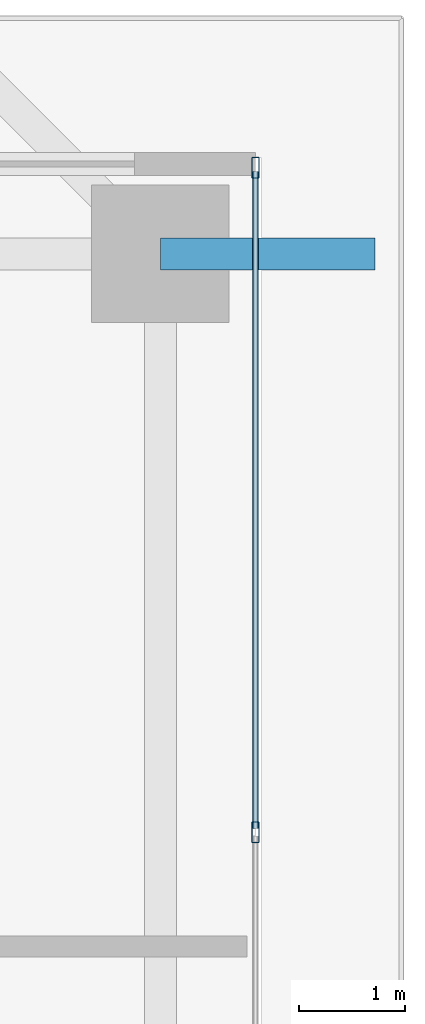
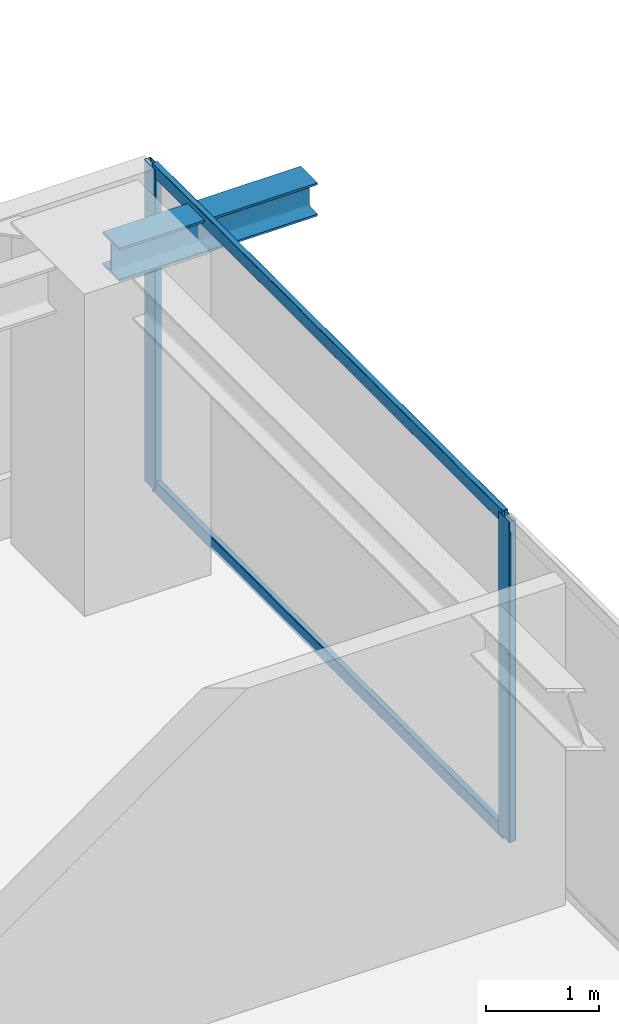
# One storey, part 24 of 37: 4 members, 1 beam, 1 element without a shape of its own.
"""IFC4 building model written with IfcOpenShell, lengths in metres."""

from ifc_helpers import new_model, si_unit, direction, frame, origin, origin_2d, place, context, subcontext, project, spatial, hollow_rectangle, i_section, extrude, source, transform, mapped, material, layer, layer_set, material_profile, profile_set, type_object, element, aggregate, save


model = new_model("IFC4")

# Units and contexts
model_context = context("Model", 3, precision=1e-05, world=origin(), true_north=direction((0.0, 1.0)))
body_context = subcontext(model_context, "Body", "Model", "MODEL_VIEW")
ifc_project = project(units=[si_unit("LENGTHUNIT", "METRE"), si_unit("AREAUNIT", "SQUARE_METRE"), si_unit("VOLUMEUNIT", "CUBIC_METRE"), si_unit("PLANEANGLEUNIT", "RADIAN"), si_unit("MASSUNIT", "GRAM", prefix="KILO")], contexts=[model_context])

# Site, building, storey
site_placement = place(None, origin())
site = spatial("IfcSite", under=ifc_project, at=site_placement, CompositionType="ELEMENT")
building_placement = place(site_placement, origin())
building = spatial("IfcBuilding", under=site, at=building_placement, Name="Serunith Strait Residences", CompositionType="ELEMENT")
storey_placement = place(building_placement, frame((0.0, 0.0, 138.89990234375)))
storey = spatial("IfcBuildingStorey", under=building, at=storey_placement, Name="L34", CompositionType="ELEMENT", Elevation=138.89990234375)

# Beam
ifc_material_1 = material(Name="Steel S355J2", Category="steel")
ifc_material_profile_1 = material_profile(ifc_material_1, i_section(OverallWidth=0.300048828125, OverallDepth=0.360107421875, WebThickness=0.012451171875, FlangeThickness=0.0224609375, FilletRadius=0.027099609375, at=origin_2d()), Name="HEB 360")
ifc_profile_set_1 = profile_set([ifc_material_profile_1], Name="Steel S355J2")
beam_type = type_object("IfcBeamType", Name="BM-HEB360", PredefinedType="BEAM", material=ifc_profile_set_1)
shared_shape_1 = source(origin(), body_context, "Body", "SweptSolid", [
    extrude(i_section(OverallWidth=0.300048828125, OverallDepth=0.360107421875, WebThickness=0.012451171875, FlangeThickness=0.0224609375, FilletRadius=0.027099609375, at=origin_2d()), origin(), (0.0, 0.0, 1.0), 2.02978515625),
])
beam_placement = place(storey_placement, frame((56.10009765625, 40.14990234375, 3.277099609375), z_axis=(1.0, 0.0, 0.0), x_axis=(0.0, 1.0, 0.0)))
element("IfcBeam", 1, at=beam_placement, inside=storey, type_object=beam_type, Name="L35 Cantilevered Balcony Rib TC-E4", PredefinedType="BEAM", context=body_context, shape_type="MappedRepresentation", body=[
    mapped(shared_shape_1, transform((0.0, 0.0, 0.0), scale=1.0)),
])

# Curtain wall, members
ifc_material_2 = material(Name="Pale-Champagne Anodised Aluminium", Category="aluminium")
ifc_layer = layer(ifc_material_2, 0.199951171875, Name="Pale-Champagne Anodised Aluminium")
ifc_layer_set = layer_set([ifc_layer], Name="Pale-Champagne Anodised Aluminium")
curtain_wall_type = type_object("IfcCurtainWallType", Name="CW-SYS2", PredefinedType="NOTDEFINED", material=ifc_layer_set)
curtain_wall_placement = place(storey_placement, origin())
curtain_wall = element("IfcCurtainWall", 2, at=curtain_wall_placement, inside=storey, type_object=curtain_wall_type, Name="L34 E Unitised Fritted Curtain Wall", PredefinedType="NOTDEFINED")
ifc_material_profile_2 = material_profile(ifc_material_2, hollow_rectangle(XDim=0.070068359375, YDim=0.199951171875, WallThickness=0.00390625, InnerFilletRadius=0.006103515625, OuterFilletRadius=0.010009765625, at=origin_2d()), Name="ALU 200x70x4")
ifc_profile_set_2 = profile_set([ifc_material_profile_2], Name="Pale-Champagne Anodised Aluminium")
member_type_1 = type_object("IfcMemberType", Name="CW-SYS2-MULL", PredefinedType="MULLION", material=ifc_profile_set_2)
shared_shape_2 = source(origin(), body_context, "Body", "SweptSolid", [
    extrude(hollow_rectangle(XDim=0.070068359375, YDim=0.199951171875, WallThickness=0.00390625, InnerFilletRadius=0.006103515625, OuterFilletRadius=0.010009765625, at=origin_2d()), origin(), (0.0, 0.0, 1.0), 3.47509765625),
])
member_1_placement = place(storey_placement, frame((57.0, 34.679931640625, 0.0), z_axis=(0.0, 0.0, 1.0), x_axis=(-1.0, 0.0, 0.0)))
member_1 = element("IfcMember", 3, at=member_1_placement, type_object=member_type_1, Name="CW-2 mullion 5", PredefinedType="MULLION", context=body_context, shape_type="MappedRepresentation", body=[
    mapped(shared_shape_2, transform((0.0, 0.0, 0.0), scale=1.0)),
])
member_2_placement = place(storey_placement, frame((57.0, 40.965087890625, 0.0), z_axis=(0.0, 0.0, 1.0), x_axis=(-1.0, 0.0, 0.0)))
member_2 = element("IfcMember", 4, at=member_2_placement, type_object=member_type_1, Name="CW-2 mullion 6", PredefinedType="MULLION", context=body_context, shape_type="MappedRepresentation", body=[
    mapped(shared_shape_2, transform((0.0, 0.0, 0.0), scale=1.0)),
])
ifc_material_profile_3 = material_profile(ifc_material_2, hollow_rectangle(XDim=0.06005859375, YDim=0.139892578125, WallThickness=0.00341796875, InnerFilletRadius=0.00537109375, OuterFilletRadius=0.0087890625, at=origin_2d()), Name="ALU 140x60x3.5")
ifc_profile_set_3 = profile_set([ifc_material_profile_3], Name="Pale-Champagne Anodised Aluminium")
member_type_2 = type_object("IfcMemberType", Name="CW-SYS2-TRAN", PredefinedType="USERDEFINED", material=ifc_profile_set_3)
shared_shape_3 = source(origin(), body_context, "Body", "SweptSolid", [
    extrude(hollow_rectangle(XDim=0.06005859375, YDim=0.139892578125, WallThickness=0.00341796875, InnerFilletRadius=0.00537109375, OuterFilletRadius=0.0087890625, at=origin_2d()), origin(), (0.0, 0.0, 1.0), 6.21484375),
])
member_3_placement = place(storey_placement, frame((57.0, 34.715087890625, 0.030029296875), z_axis=(0.0, 1.0, 0.0), x_axis=(-1.0, 0.0, 0.0)))
member_3 = element("IfcMember", 5, at=member_3_placement, type_object=member_type_2, Name="CW-2 transom 5.1", ObjectType="TRANSOM", PredefinedType="USERDEFINED", context=body_context, shape_type="MappedRepresentation", body=[
    mapped(shared_shape_3, transform((0.0, 0.0, 0.0), scale=1.0)),
])
member_4_placement = place(storey_placement, frame((57.0, 34.715087890625, 3.445068359375), z_axis=(0.0, 1.0, 0.0), x_axis=(-1.0, 0.0, 0.0)))
member_4 = element("IfcMember", 6, at=member_4_placement, type_object=member_type_2, Name="CW-2 transom 5.2", ObjectType="TRANSOM", PredefinedType="USERDEFINED", context=body_context, shape_type="MappedRepresentation", body=[
    mapped(shared_shape_3, transform((0.0, 0.0, 0.0), scale=1.0)),
])
aggregate(curtain_wall, [member_1, member_2, member_3, member_4])

save(model, "model.ifc")
